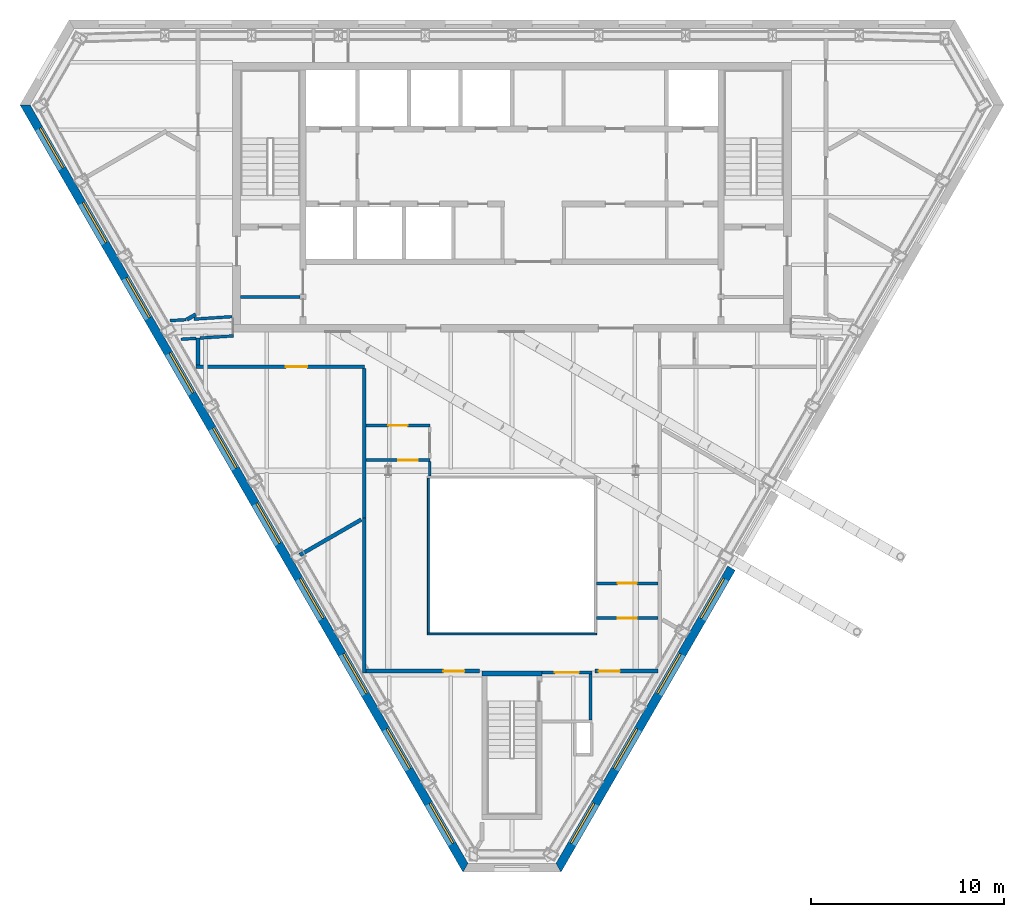
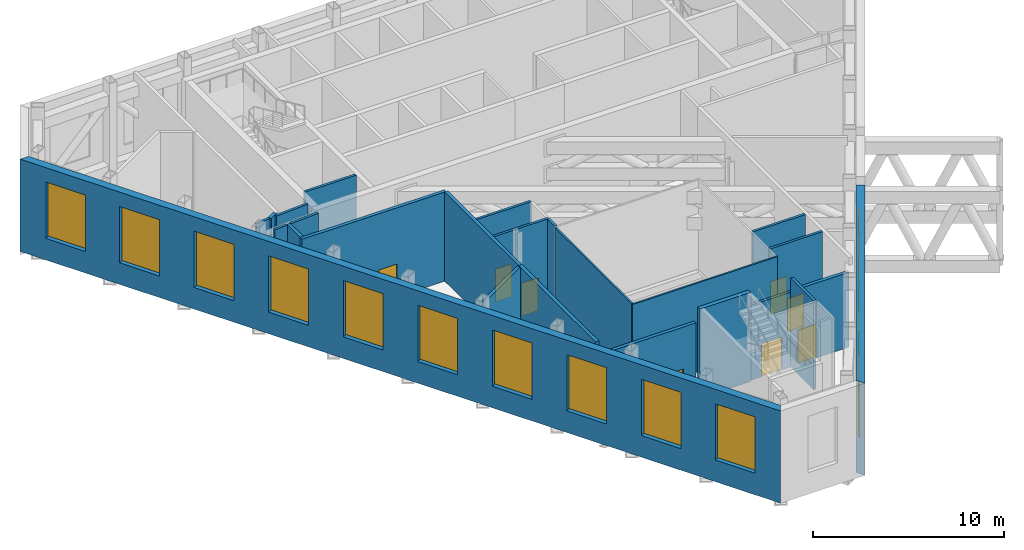
# One storey, part 7 of 14: 25 walls, 14 shading devices, 8 doors, 22 openings.
"""IFC4 building model written with IfcOpenShell, lengths in metres."""

from ifc_helpers import new_model, si_unit, direction, frame, frame_2d, origin, place, context, subcontext, project, spatial, polyline, rectangle, outline, extrude, material, layer, layer_set, type_object, element, fill, save


model = new_model("IFC4")

# Units and contexts
model_context = context("Model", 3, precision=1e-05, world=origin(), true_north=direction((0.0, 1.0)))
body_context = subcontext(model_context, "Body", "Model", "MODEL_VIEW")
ifc_project = project(units=[si_unit("LENGTHUNIT", "METRE"), si_unit("AREAUNIT", "SQUARE_METRE"), si_unit("VOLUMEUNIT", "CUBIC_METRE"), si_unit("PLANEANGLEUNIT", "RADIAN"), si_unit("MASSUNIT", "GRAM", prefix="KILO")], contexts=[model_context])

# Site, building, storey
site_placement = place(None, origin())
site = spatial("IfcSite", under=ifc_project, at=site_placement, CompositionType="ELEMENT")
building_placement = place(site_placement, origin())
building = spatial("IfcBuilding", under=site, at=building_placement, Name="Njiva Tower", CompositionType="ELEMENT")
storey_placement = place(building_placement, frame((0.0, 0.0, 292.2)))
storey = spatial("IfcBuildingStorey", under=building, at=storey_placement, Name="L67", CompositionType="ELEMENT", Elevation=292.2)

# Walls
ifc_material_1 = material(Name="Blockwork", Category="masonry")
ifc_layer_1 = layer(ifc_material_1, 0.15)
ifc_layer_set_1 = layer_set([ifc_layer_1], Name="Blockwork")
wall_type_1 = type_object("IfcWallType", Name="WT1 Compartment partition 150", PredefinedType="PARTITIONING", material=ifc_layer_set_1)
wall_1_placement = place(storey_placement, frame((-14.1, 5.825, 0.0), z_axis=(0.0, 0.0, 1.0), x_axis=(1.0, 0.0, 0.0)))
element("IfcWall", 1, at=wall_1_placement, inside=storey, type_object=wall_type_1, Name="Room wall A", PredefinedType="PARTITIONING", context=body_context, shape_type="SweptSolid", body=[
    extrude(rectangle(XDim=3.1, YDim=0.15, at=frame_2d((1.55, 0.0))), origin(), (0.0, 0.0, 1.0), 5.7),
])
ifc_material_2 = material(Name="Gypsum board on steel studs", Category="gypsum")
ifc_layer_2 = layer(ifc_material_2, 0.15)
ifc_layer_set_2 = layer_set([ifc_layer_2], Name="Gypsum board on steel studs")
wall_type_2 = type_object("IfcWallType", Name="WT21 Compartment wall 150", PredefinedType="PARTITIONING", material=ifc_layer_set_2)
wall_2_placement = place(storey_placement, frame((-17.746, 4.592, 0.0), z_axis=(0.0, 0.0, 1.0), x_axis=(0.997972330248, 0.063649258127, 0.0)))
element("IfcWall", 2, at=wall_2_placement, inside=storey, type_object=wall_type_2, Name="Partition T5-P003", PredefinedType="PARTITIONING", context=body_context, shape_type="SweptSolid", body=[
    extrude(rectangle(XDim=0.8327, YDim=0.15, at=frame_2d((0.4164, 0.0))), origin(), (0.0, 0.0, 1.0), 5.7),
])
wall_3_placement = place(storey_placement, frame((-17.188, 3.625, 0.0), z_axis=(0.0, 0.0, 1.0), x_axis=(0.997885500156, 0.064996373573, 0.0)))
element("IfcWall", 3, at=wall_3_placement, inside=storey, type_object=wall_type_2, Name="Partition T5-P004", PredefinedType="PARTITIONING", context=body_context, shape_type="SweptSolid", body=[
    extrude(rectangle(XDim=0.7847, YDim=0.15, at=frame_2d((0.3923, 0.0))), origin(), (0.0, 0.0, 1.0), 5.7),
])
wall_4_placement = place(storey_placement, frame((-16.504, 4.672, 0.0), z_axis=(0.0, 0.0, 1.0), x_axis=(0.997932644153, 0.064268481647, 0.0)))
element("IfcWall", 4, at=wall_4_placement, inside=storey, type_object=wall_type_2, Name="Partition T5-P006", PredefinedType="PARTITIONING", context=body_context, shape_type="SweptSolid", body=[
    extrude(rectangle(XDim=1.9761, YDim=0.15, at=frame_2d((0.988, 0.0))), origin(), (0.0, 0.0, 1.0), 5.7),
])
wall_5_placement = place(storey_placement, frame((-16.2, 3.689, 0.0), z_axis=(0.0, 0.0, 1.0), x_axis=(0.997915745008, 0.064530348407, 0.0)))
element("IfcWall", 5, at=wall_5_placement, inside=storey, type_object=wall_type_2, Name="Partition T5-P011", PredefinedType="PARTITIONING", context=body_context, shape_type="SweptSolid", body=[
    extrude(rectangle(XDim=1.7356, YDim=0.15, at=frame_2d((0.8678, 0.0))), origin(), (0.0, 0.0, 1.0), 5.7),
])

# Wall, opening, door
wall_6_placement = place(storey_placement, frame((-7.571, -2.65, 0.0), z_axis=(0.0, 0.0, 1.0), x_axis=(1.0, 0.0, 0.0)))
wall_6 = element("IfcWall", 6, at=wall_6_placement, inside=storey, type_object=wall_type_2, Name="Partition T5-P017", PredefinedType="PARTITIONING", context=body_context, shape_type="SweptSolid", body=[
    extrude(rectangle(XDim=3.301, YDim=0.15, at=frame_2d((1.6505, 0.0))), origin(), (0.0, 0.0, 1.0), 5.7),
])
opening_1_placement = place(wall_6_placement, frame((1.675, 0.0, 0.0)))
opening_1 = element("IfcOpeningElement", 7, at=opening_1_placement, cuts=wall_6, Name="Opening T5-D006", PredefinedType="OPENING", context=body_context, shape_type="SweptSolid", body=[
    extrude(rectangle(XDim=1.0, YDim=2.1, at=frame_2d((0.5, 1.05))), frame((0.0, 0.085, 0.0), z_axis=(0.0, -1.0, 0.0), x_axis=(1.0, 0.0, 0.0)), (0.0, 0.0, 1.0), 0.17),
])
ifc_material_3 = material(Name="Steel fire door set", Category="steel")
door_type_1 = type_object("IfcDoorType", Name="D37 Fire door 1000x2100", OperationType="SINGLE_SWING_LEFT", PredefinedType="DOOR", material=ifc_material_3)
door_1_placement = place(opening_1_placement, origin())
door_1 = element("IfcDoor", 8, at=door_1_placement, inside=storey, type_object=door_type_1, Name="Door T5-D006", OperationType="SINGLE_SWING_LEFT", OverallHeight=2.1, OverallWidth=1.0, PredefinedType="DOOR", context=body_context, shape_type="SweptSolid", body=[
    extrude(rectangle(XDim=1.0, YDim=2.1, at=frame_2d((0.5, 1.05))), frame((0.0, 0.025, 0.0), z_axis=(0.0, -1.0, 0.0), x_axis=(1.0, 0.0, 0.0)), (0.0, 0.0, 1.0), 0.05),
])
fill(opening_1, door_1)

wall_7_placement = place(storey_placement, frame((-7.57, -0.85, 0.0), z_axis=(0.0, 0.0, 1.0), x_axis=(1.0, 0.0, 0.0)))
wall_7 = element("IfcWall", 9, at=wall_7_placement, inside=storey, type_object=wall_type_2, Name="Partition T5-P018", PredefinedType="PARTITIONING", context=body_context, shape_type="SweptSolid", body=[
    extrude(rectangle(XDim=3.3, YDim=0.15, at=frame_2d((1.65, 0.0))), origin(), (0.0, 0.0, 1.0), 5.7),
])
opening_2_placement = place(wall_7_placement, frame((1.15, 0.0, 0.0)))
opening_2 = element("IfcOpeningElement", 10, at=opening_2_placement, cuts=wall_7, Name="Opening T5-D007", PredefinedType="OPENING", context=body_context, shape_type="SweptSolid", body=[
    extrude(rectangle(XDim=1.0, YDim=2.1, at=frame_2d((0.5, 1.05))), frame((0.0, 0.085, 0.0), z_axis=(0.0, -1.0, 0.0), x_axis=(1.0, 0.0, 0.0)), (0.0, 0.0, 1.0), 0.17),
])
door_2_placement = place(opening_2_placement, origin())
door_2 = element("IfcDoor", 11, at=door_2_placement, inside=storey, type_object=door_type_1, Name="Door T5-D007", OperationType="SINGLE_SWING_RIGHT", OverallHeight=2.1, OverallWidth=1.0, PredefinedType="DOOR", context=body_context, shape_type="SweptSolid", body=[
    extrude(rectangle(XDim=1.0, YDim=2.1, at=frame_2d((0.5, 1.05))), frame((0.0, 0.025, 0.0), z_axis=(0.0, -1.0, 0.0), x_axis=(1.0, 0.0, 0.0)), (0.0, 0.0, 1.0), 0.05),
])
fill(opening_2, door_2)

# Wall
wall_8_placement = place(storey_placement, frame((-4.27, -3.48, 0.0), z_axis=(0.0, 0.0, 1.0), x_axis=(0.0, 1.0, 0.0)))
element("IfcWall", 12, at=wall_8_placement, inside=storey, type_object=wall_type_2, Name="Partition T5-P020", PredefinedType="PARTITIONING", context=body_context, shape_type="SweptSolid", body=[
    extrude(rectangle(XDim=0.755, YDim=0.15, at=frame_2d((0.3775, 0.0))), origin(), (0.0, 0.0, 1.0), 5.7),
])

# Wall, opening, door
wall_9_placement = place(storey_placement, frame((4.39, -10.85, 0.0), z_axis=(0.0, 0.0, 1.0), x_axis=(1.0, 0.0, 0.0)))
wall_9 = element("IfcWall", 13, at=wall_9_placement, inside=storey, type_object=wall_type_2, Name="Partition T5-P025", PredefinedType="PARTITIONING", context=body_context, shape_type="SweptSolid", body=[
    extrude(rectangle(XDim=3.18, YDim=0.15, at=frame_2d((1.59, 0.0))), origin(), (0.0, 0.0, 1.0), 5.7),
])
opening_3_placement = place(wall_9_placement, frame((1.09, 0.0, 0.0)))
opening_3 = element("IfcOpeningElement", 14, at=opening_3_placement, cuts=wall_9, Name="Opening T5-D011", PredefinedType="OPENING", context=body_context, shape_type="SweptSolid", body=[
    extrude(rectangle(XDim=1.0, YDim=2.1, at=frame_2d((0.5, 1.05))), frame((0.0, 0.085, 0.0), z_axis=(0.0, -1.0, 0.0), x_axis=(1.0, 0.0, 0.0)), (0.0, 0.0, 1.0), 0.17),
])
door_3_placement = place(opening_3_placement, origin())
door_3 = element("IfcDoor", 15, at=door_3_placement, inside=storey, type_object=door_type_1, Name="Door T5-D011", OperationType="SINGLE_SWING_RIGHT", OverallHeight=2.1, OverallWidth=1.0, PredefinedType="DOOR", context=body_context, shape_type="SweptSolid", body=[
    extrude(rectangle(XDim=1.0, YDim=2.1, at=frame_2d((0.5, 1.05))), frame((0.0, 0.025, 0.0), z_axis=(0.0, -1.0, 0.0), x_axis=(1.0, 0.0, 0.0)), (0.0, 0.0, 1.0), 0.05),
])
fill(opening_3, door_3)

wall_10_placement = place(storey_placement, frame((4.39, -9.05, 0.0), z_axis=(0.0, 0.0, 1.0), x_axis=(1.0, 0.0, 0.0)))
wall_10 = element("IfcWall", 16, at=wall_10_placement, inside=storey, type_object=wall_type_2, Name="Partition T5-P026", PredefinedType="PARTITIONING", context=body_context, shape_type="SweptSolid", body=[
    extrude(rectangle(XDim=3.18, YDim=0.15, at=frame_2d((1.59, 0.0))), origin(), (0.0, 0.0, 1.0), 5.7),
])
opening_4_placement = place(wall_10_placement, frame((1.09, 0.0, 0.0)))
opening_4 = element("IfcOpeningElement", 17, at=opening_4_placement, cuts=wall_10, Name="Opening T5-D012", PredefinedType="OPENING", context=body_context, shape_type="SweptSolid", body=[
    extrude(rectangle(XDim=1.0, YDim=2.1, at=frame_2d((0.5, 1.05))), frame((0.0, 0.085, 0.0), z_axis=(0.0, -1.0, 0.0), x_axis=(1.0, 0.0, 0.0)), (0.0, 0.0, 1.0), 0.17),
])
door_4_placement = place(opening_4_placement, origin())
door_4 = element("IfcDoor", 18, at=door_4_placement, inside=storey, type_object=door_type_1, Name="Door T5-D012", OperationType="SINGLE_SWING_RIGHT", OverallHeight=2.1, OverallWidth=1.0, PredefinedType="DOOR", context=body_context, shape_type="SweptSolid", body=[
    extrude(rectangle(XDim=1.0, YDim=2.1, at=frame_2d((0.5, 1.05))), frame((0.0, 0.025, 0.0), z_axis=(0.0, -1.0, 0.0), x_axis=(1.0, 0.0, 0.0)), (0.0, 0.0, 1.0), 0.05),
])
fill(opening_4, door_4)

ifc_layer_3 = layer(ifc_material_1, 0.2)
ifc_layer_set_3 = layer_set([ifc_layer_3], Name="Blockwork")
wall_type_3 = type_object("IfcWallType", Name="WT22 Plant room wall 200", PredefinedType="PARTITIONING", material=ifc_layer_set_3)
wall_11_placement = place(storey_placement, frame((-16.4, 2.2, 0.0), z_axis=(0.0, 0.0, 1.0), x_axis=(1.0, 0.0, 0.0)))
wall_11 = element("IfcWall", 19, at=wall_11_placement, inside=storey, type_object=wall_type_3, Name="Partition T5-P007", PredefinedType="PARTITIONING", context=body_context, shape_type="SweptSolid", body=[
    extrude(rectangle(XDim=8.73, YDim=0.2, at=frame_2d((4.365, 0.0))), origin(), (0.0, 0.0, 1.0), 5.7),
])
opening_5_placement = place(wall_11_placement, frame((4.657, 0.0, 0.0)))
opening_5 = element("IfcOpeningElement", 20, at=opening_5_placement, cuts=wall_11, Name="Opening T5-D001", PredefinedType="OPENING", context=body_context, shape_type="SweptSolid", body=[
    extrude(rectangle(XDim=1.1, YDim=2.1, at=frame_2d((0.55, 1.05))), frame((0.0, 0.11, 0.0), z_axis=(0.0, -1.0, 0.0), x_axis=(1.0, 0.0, 0.0)), (0.0, 0.0, 1.0), 0.22),
])
ifc_material_4 = material(Name="Steel door set", Category="steel")
door_type_2 = type_object("IfcDoorType", Name="D34 Plant door 1100x2100", OperationType="SINGLE_SWING_LEFT", PredefinedType="DOOR", material=ifc_material_4)
door_5_placement = place(opening_5_placement, origin())
door_5 = element("IfcDoor", 21, at=door_5_placement, inside=storey, type_object=door_type_2, Name="Door T5-D001", OperationType="SINGLE_SWING_RIGHT", OverallHeight=2.1, OverallWidth=1.1, PredefinedType="DOOR", context=body_context, shape_type="SweptSolid", body=[
    extrude(rectangle(XDim=1.1, YDim=2.1, at=frame_2d((0.55, 1.05))), frame((0.0, 0.025, 0.0), z_axis=(0.0, -1.0, 0.0), x_axis=(1.0, 0.0, 0.0)), (0.0, 0.0, 1.0), 0.05),
])
fill(opening_5, door_5)

# Walls
wall_12_placement = place(storey_placement, frame((-16.3, 2.3, 0.0), z_axis=(0.0, 0.0, 1.0), x_axis=(0.0, 1.0, 0.0)))
element("IfcWall", 22, at=wall_12_placement, inside=storey, type_object=wall_type_3, Name="Partition T5-P009", PredefinedType="PARTITIONING", context=body_context, shape_type="SweptSolid", body=[
    extrude(rectangle(XDim=1.383, YDim=0.2, at=frame_2d((0.6915, 0.0))), origin(), (0.0, 0.0, 1.0), 5.7),
])
wall_13_placement = place(storey_placement, frame((-11.01, -7.574, 0.0), z_axis=(0.0, 0.0, 1.0), x_axis=(0.865995704065, 0.500051437896, 0.0)))
element("IfcWall", 23, at=wall_13_placement, inside=storey, type_object=wall_type_3, Name="Partition T5-P012", PredefinedType="PARTITIONING", context=body_context, shape_type="SweptSolid", body=[
    extrude(rectangle(XDim=3.6836, YDim=0.2, at=frame_2d((1.8418, 0.0))), origin(), (0.0, 0.0, 1.0), 5.7),
])
wall_14_placement = place(storey_placement, frame((-7.671, -5.65, 0.0), z_axis=(0.0, 0.0, 1.0), x_axis=(0.000129032257, 0.999999991675, 0.0)))
element("IfcWall", 24, at=wall_14_placement, inside=storey, type_object=wall_type_3, Name="Partition T5-P015", PredefinedType="PARTITIONING", context=body_context, shape_type="SweptSolid", body=[
    extrude(rectangle(XDim=7.75, YDim=0.2, at=frame_2d((3.875, 0.0))), origin(), (0.0, 0.0, 1.0), 5.7),
])
wall_15_placement = place(storey_placement, frame((-7.67, -13.7, 0.0), z_axis=(0.0, 0.0, 1.0), x_axis=(0.0, 1.0, 0.0)))
element("IfcWall", 25, at=wall_15_placement, inside=storey, type_object=wall_type_3, Name="Partition T5-P016", PredefinedType="PARTITIONING", context=body_context, shape_type="SweptSolid", body=[
    extrude(rectangle(XDim=8.05, YDim=0.2, at=frame_2d((4.025, 0.0))), origin(), (0.0, 0.0, 1.0), 5.7),
])

# Wall, opening, door
wall_16_placement = place(storey_placement, frame((-7.57, -13.6, 0.0), z_axis=(0.0, 0.0, 1.0), x_axis=(1.0, 0.0, 0.0)))
wall_16 = element("IfcWall", 26, at=wall_16_placement, inside=storey, type_object=wall_type_3, Name="Partition T5-P019", PredefinedType="PARTITIONING", context=body_context, shape_type="SweptSolid", body=[
    extrude(rectangle(XDim=5.87, YDim=0.2, at=frame_2d((2.935, 0.0))), origin(), (0.0, 0.0, 1.0), 4.79),
])
opening_6_placement = place(wall_16_placement, frame((4.003, 0.0, 0.0)))
opening_6 = element("IfcOpeningElement", 27, at=opening_6_placement, cuts=wall_16, Name="Opening T5-D008", PredefinedType="OPENING", context=body_context, shape_type="SweptSolid", body=[
    extrude(rectangle(XDim=1.1, YDim=2.1, at=frame_2d((0.55, 1.05))), frame((0.0, 0.11, 0.0), z_axis=(0.0, -1.0, 0.0), x_axis=(1.0, 0.0, 0.0)), (0.0, 0.0, 1.0), 0.22),
])
door_6_placement = place(opening_6_placement, origin())
door_6 = element("IfcDoor", 28, at=door_6_placement, inside=storey, type_object=door_type_2, Name="Door T5-D008", OperationType="SINGLE_SWING_RIGHT", OverallHeight=2.1, OverallWidth=1.1, PredefinedType="DOOR", context=body_context, shape_type="SweptSolid", body=[
    extrude(rectangle(XDim=1.1, YDim=2.1, at=frame_2d((0.55, 1.05))), frame((0.0, 0.025, 0.0), z_axis=(0.0, -1.0, 0.0), x_axis=(1.0, 0.0, 0.0)), (0.0, 0.0, 1.0), 0.05),
])
fill(opening_6, door_6)

wall_17_placement = place(storey_placement, frame((4.3, -13.6, 0.0), z_axis=(0.0, 0.0, 1.0), x_axis=(1.0, 0.0, 0.0)))
wall_17 = element("IfcWall", 29, at=wall_17_placement, inside=storey, type_object=wall_type_3, Name="Partition T5-P024", PredefinedType="PARTITIONING", context=body_context, shape_type="SweptSolid", body=[
    extrude(rectangle(XDim=3.27, YDim=0.2, at=frame_2d((1.635, 0.0))), origin(), (0.0, 0.0, 1.0), 4.79),
])
opening_7_placement = place(wall_17_placement, frame((0.2, 0.0, 0.0)))
opening_7 = element("IfcOpeningElement", 30, at=opening_7_placement, cuts=wall_17, Name="Opening T5-D010", PredefinedType="OPENING", context=body_context, shape_type="SweptSolid", body=[
    extrude(rectangle(XDim=1.1, YDim=2.1, at=frame_2d((0.55, 1.05))), frame((0.0, 0.11, 0.0), z_axis=(0.0, -1.0, 0.0), x_axis=(1.0, 0.0, 0.0)), (0.0, 0.0, 1.0), 0.22),
])
door_7_placement = place(opening_7_placement, origin())
door_7 = element("IfcDoor", 31, at=door_7_placement, inside=storey, type_object=door_type_2, Name="Door T5-D010", OperationType="SINGLE_SWING_LEFT", OverallHeight=2.1, OverallWidth=1.1, PredefinedType="DOOR", context=body_context, shape_type="SweptSolid", body=[
    extrude(rectangle(XDim=1.1, YDim=2.1, at=frame_2d((0.55, 1.05))), frame((0.0, 0.025, 0.0), z_axis=(0.0, -1.0, 0.0), x_axis=(1.0, 0.0, 0.0)), (0.0, 0.0, 1.0), 0.05),
])
fill(opening_7, door_7)

# Walls
ifc_layer_4 = layer(ifc_material_1, 0.2)
ifc_layer_set_4 = layer_set([ifc_layer_4], Name="Blockwork")
wall_type_4 = type_object("IfcWallType", Name="WT23 Refuge wall 200", PredefinedType="PARTITIONING", material=ifc_layer_set_4)
wall_18_placement = place(storey_placement, frame((-16.878, 4.648, 0.0), z_axis=(0.0, 0.0, 1.0), x_axis=(0.865683861507, 0.500591102524, 0.0)))
element("IfcWall", 32, at=wall_18_placement, inside=storey, type_object=wall_type_4, Name="Partition T5-P005", PredefinedType="PARTITIONING", context=body_context, shape_type="SweptSolid", body=[
    extrude(rectangle(XDim=0.5314, YDim=0.2, at=frame_2d((0.2657, 0.0))), origin(), (0.0, 0.0, 1.0), 5.7),
])
ifc_layer_5 = layer(ifc_material_1, 0.15)
ifc_layer_set_5 = layer_set([ifc_layer_5], Name="Blockwork")
wall_type_5 = type_object("IfcWallType", Name="WT4 Stair partition 150", PredefinedType="PARTITIONING", material=ifc_layer_set_5)
wall_19_placement = place(storey_placement, frame((4.075, -16.15, 0.0), z_axis=(0.0, 0.0, 1.0), x_axis=(0.0, 1.0, 0.0)))
element("IfcWall", 33, at=wall_19_placement, inside=storey, type_object=wall_type_5, Name="Stair C vestibule wall east", PredefinedType="PARTITIONING", context=body_context, shape_type="SweptSolid", body=[
    extrude(rectangle(XDim=2.4, YDim=0.15, at=frame_2d((1.2, 0.0))), origin(), (0.0, 0.0, 1.0), 5.7),
])

# Wall, opening, door
wall_20_placement = place(storey_placement, frame((1.55, -13.675, 0.0), z_axis=(0.0, 0.0, 1.0), x_axis=(1.0, 0.0, 0.0)))
wall_20 = element("IfcWall", 34, at=wall_20_placement, inside=storey, type_object=wall_type_5, Name="Stair C vestibule wall north", PredefinedType="PARTITIONING", context=body_context, shape_type="SweptSolid", body=[
    extrude(rectangle(XDim=2.6, YDim=0.15, at=frame_2d((1.3, 0.0))), origin(), (0.0, 0.0, 1.0), 4.79),
])
opening_8_placement = place(wall_20_placement, frame((0.675, 0.0, 0.0)))
opening_8 = element("IfcOpeningElement", 35, at=opening_8_placement, cuts=wall_20, Name="Opening T5-D928", PredefinedType="OPENING", context=body_context, shape_type="SweptSolid", body=[
    extrude(rectangle(XDim=1.25, YDim=2.1, at=frame_2d((0.625, 1.05))), frame((0.0, 0.085, 0.0), z_axis=(0.0, -1.0, 0.0), x_axis=(1.0, 0.0, 0.0)), (0.0, 0.0, 1.0), 0.17),
])
ifc_material_5 = material(Name="Glazed steel fire door", Category="steel")
door_type_3 = type_object("IfcDoorType", Name="D8 Vestibule corridor door 1250x2100 glazed", OperationType="SINGLE_SWING_LEFT", PredefinedType="DOOR", material=ifc_material_5)
door_8_placement = place(opening_8_placement, origin())
door_8 = element("IfcDoor", 36, at=door_8_placement, inside=storey, type_object=door_type_3, Name="Stair vestibule corridor door", OperationType="SINGLE_SWING_RIGHT", OverallHeight=2.1, OverallWidth=1.25, PredefinedType="DOOR", context=body_context, shape_type="SweptSolid", body=[
    extrude(rectangle(XDim=1.25, YDim=2.1, at=frame_2d((0.625, 1.05))), frame((0.0, 0.025, 0.0), z_axis=(0.0, -1.0, 0.0), x_axis=(1.0, 0.0, 0.0)), (0.0, 0.0, 1.0), 0.05),
])
fill(opening_8, door_8)

# Wall
ifc_material_6 = material(Name="Concrete C40/50", Category="concrete")
ifc_layer_6 = layer(ifc_material_6, 0.25)
ifc_layer_set_6 = layer_set([ifc_layer_6], Name="Concrete C40/50")
wall_type_6 = type_object("IfcWallType", Name="WT9 Stair enclosure wall 250", PredefinedType="SHEAR", material=ifc_layer_set_6)
wall_21_placement = place(storey_placement, frame((-1.55, -13.725, 0.0), z_axis=(0.0, 0.0, 1.0), x_axis=(1.0, 0.0, 0.0)))
element("IfcWall", 37, at=wall_21_placement, inside=storey, type_object=wall_type_6, Name="Stair C wall north", PredefinedType="SHEAR", context=body_context, shape_type="SweptSolid", body=[
    extrude(rectangle(XDim=3.1, YDim=0.25, at=frame_2d((1.55, 0.0))), origin(), (0.0, 0.0, 1.0), 5.7),
])

# Wall, openings, shading devices
ifc_material_7 = material(Name="Brick masonry, buff", Category="masonry")
ifc_layer_7 = layer(ifc_material_7, 0.45)
ifc_layer_set_7 = layer_set([ifc_layer_7], Name="Brick masonry, buff")
wall_type_7 = type_object("IfcWallType", Name="WT94 Brick pier and spandrel wall 450, buff", PredefinedType="SOLIDWALL", material=ifc_layer_set_7)
wall_22_placement = place(storey_placement, frame((-25.2802, 15.7919, -0.18), z_axis=(0.0, 0.0, 1.0), x_axis=(0.500000141277, -0.866025322218, 0.0)))
wall_22 = element("IfcWall", 38, at=wall_22_placement, inside=storey, type_object=wall_type_7, Name="Facade wall SW", PredefinedType="SOLIDWALL", context=body_context, shape_type="SweptSolid", body=[
    extrude(outline(polyline([(-0.1299, -0.225), (45.8601, -0.225), (45.6003, 0.225), (0.1299, 0.225), (-0.1299, -0.225)])), origin(), (0.0, 0.0, 1.0), 5.9),
])
opening_9_placement = place(wall_22_placement, frame((1.4237, 0.0, 1.38)))
opening_9 = element("IfcOpeningElement", 39, at=opening_9_placement, cuts=wall_22, Name="Opening T5-LV12", PredefinedType="OPENING", context=body_context, shape_type="SweptSolid", body=[
    extrude(rectangle(XDim=2.4, YDim=3.6, at=frame_2d((1.2, 1.8))), frame((0.0, 0.235, 0.0), z_axis=(0.0, -1.0, 0.0), x_axis=(1.0, 0.0, 0.0)), (0.0, 0.0, 1.0), 0.47),
])
opening_10_placement = place(wall_22_placement, frame((5.8919, 0.0, 1.38)))
opening_10 = element("IfcOpeningElement", 40, at=opening_10_placement, cuts=wall_22, Name="Opening T5-LV13", PredefinedType="OPENING", context=body_context, shape_type="SweptSolid", body=[
    extrude(rectangle(XDim=2.4, YDim=3.6, at=frame_2d((1.2, 1.8))), frame((0.0, 0.235, 0.0), z_axis=(0.0, -1.0, 0.0), x_axis=(1.0, 0.0, 0.0)), (0.0, 0.0, 1.0), 0.47),
])
opening_11_placement = place(wall_22_placement, frame((10.3985, 0.0, 1.38)))
opening_11 = element("IfcOpeningElement", 41, at=opening_11_placement, cuts=wall_22, Name="Opening T5-LV14", PredefinedType="OPENING", context=body_context, shape_type="SweptSolid", body=[
    extrude(rectangle(XDim=2.4, YDim=3.6, at=frame_2d((1.2, 1.8))), frame((0.0, 0.235, 0.0), z_axis=(0.0, -1.0, 0.0), x_axis=(1.0, 0.0, 0.0)), (0.0, 0.0, 1.0), 0.47),
])
opening_12_placement = place(wall_22_placement, frame((14.9052, 0.0, 1.38)))
opening_12 = element("IfcOpeningElement", 42, at=opening_12_placement, cuts=wall_22, Name="Opening T5-LV15", PredefinedType="OPENING", context=body_context, shape_type="SweptSolid", body=[
    extrude(rectangle(XDim=2.4, YDim=3.6, at=frame_2d((1.2, 1.8))), frame((0.0, 0.235, 0.0), z_axis=(0.0, -1.0, 0.0), x_axis=(1.0, 0.0, 0.0)), (0.0, 0.0, 1.0), 0.47),
])
opening_13_placement = place(wall_22_placement, frame((19.4118, 0.0, 1.38)))
opening_13 = element("IfcOpeningElement", 43, at=opening_13_placement, cuts=wall_22, Name="Opening T5-LV16", PredefinedType="OPENING", context=body_context, shape_type="SweptSolid", body=[
    extrude(rectangle(XDim=2.4, YDim=3.6, at=frame_2d((1.2, 1.8))), frame((0.0, 0.235, 0.0), z_axis=(0.0, -1.0, 0.0), x_axis=(1.0, 0.0, 0.0)), (0.0, 0.0, 1.0), 0.47),
])
opening_14_placement = place(wall_22_placement, frame((23.9184, 0.0, 1.38)))
opening_14 = element("IfcOpeningElement", 44, at=opening_14_placement, cuts=wall_22, Name="Opening T5-LV17", PredefinedType="OPENING", context=body_context, shape_type="SweptSolid", body=[
    extrude(rectangle(XDim=2.4, YDim=3.6, at=frame_2d((1.2, 1.8))), frame((0.0, 0.235, 0.0), z_axis=(0.0, -1.0, 0.0), x_axis=(1.0, 0.0, 0.0)), (0.0, 0.0, 1.0), 0.47),
])
opening_15_placement = place(wall_22_placement, frame((28.425, 0.0, 1.38)))
opening_15 = element("IfcOpeningElement", 45, at=opening_15_placement, cuts=wall_22, Name="Opening T5-LV18", PredefinedType="OPENING", context=body_context, shape_type="SweptSolid", body=[
    extrude(rectangle(XDim=2.4, YDim=3.6, at=frame_2d((1.2, 1.8))), frame((0.0, 0.235, 0.0), z_axis=(0.0, -1.0, 0.0), x_axis=(1.0, 0.0, 0.0)), (0.0, 0.0, 1.0), 0.47),
])
opening_16_placement = place(wall_22_placement, frame((32.9316, 0.0, 1.38)))
opening_16 = element("IfcOpeningElement", 46, at=opening_16_placement, cuts=wall_22, Name="Opening T5-LV19", PredefinedType="OPENING", context=body_context, shape_type="SweptSolid", body=[
    extrude(rectangle(XDim=2.4, YDim=3.6, at=frame_2d((1.2, 1.8))), frame((0.0, 0.235, 0.0), z_axis=(0.0, -1.0, 0.0), x_axis=(1.0, 0.0, 0.0)), (0.0, 0.0, 1.0), 0.47),
])
opening_17_placement = place(wall_22_placement, frame((37.4383, 0.0, 1.38)))
opening_17 = element("IfcOpeningElement", 47, at=opening_17_placement, cuts=wall_22, Name="Opening T5-LV20", PredefinedType="OPENING", context=body_context, shape_type="SweptSolid", body=[
    extrude(rectangle(XDim=2.4, YDim=3.6, at=frame_2d((1.2, 1.8))), frame((0.0, 0.235, 0.0), z_axis=(0.0, -1.0, 0.0), x_axis=(1.0, 0.0, 0.0)), (0.0, 0.0, 1.0), 0.47),
])
opening_18_placement = place(wall_22_placement, frame((41.9065, 0.0, 1.38)))
opening_18 = element("IfcOpeningElement", 48, at=opening_18_placement, cuts=wall_22, Name="Opening T5-LV21", PredefinedType="OPENING", context=body_context, shape_type="SweptSolid", body=[
    extrude(rectangle(XDim=2.4, YDim=3.6, at=frame_2d((1.2, 1.8))), frame((0.0, 0.235, 0.0), z_axis=(0.0, -1.0, 0.0), x_axis=(1.0, 0.0, 0.0)), (0.0, 0.0, 1.0), 0.47),
])
ifc_material_8 = material(Name="Aluminium louvre blades", Category="aluminium")
shading_device_type = type_object("IfcShadingDeviceType", Name="LV1 Plant louvre 2400x3600", PredefinedType="JALOUSIE", material=ifc_material_8)
shading_device_1_placement = place(opening_9_placement, origin())
shading_device_1 = element("IfcShadingDevice", 49, at=shading_device_1_placement, inside=storey, type_object=shading_device_type, Name="Plant louvre", PredefinedType="JALOUSIE", context=body_context, shape_type="SweptSolid", body=[
    extrude(rectangle(XDim=2.4, YDim=3.6, at=frame_2d((1.2, 1.8))), frame((0.0, 0.125, 0.0), z_axis=(0.0, -1.0, 0.0), x_axis=(1.0, 0.0, 0.0)), (0.0, 0.0, 1.0), 0.1),
])
fill(opening_9, shading_device_1)
shading_device_2_placement = place(opening_10_placement, origin())
shading_device_2 = element("IfcShadingDevice", 50, at=shading_device_2_placement, inside=storey, type_object=shading_device_type, Name="Plant louvre", PredefinedType="JALOUSIE", context=body_context, shape_type="SweptSolid", body=[
    extrude(rectangle(XDim=2.4, YDim=3.6, at=frame_2d((1.2, 1.8))), frame((0.0, 0.125, 0.0), z_axis=(0.0, -1.0, 0.0), x_axis=(1.0, 0.0, 0.0)), (0.0, 0.0, 1.0), 0.1),
])
fill(opening_10, shading_device_2)
shading_device_3_placement = place(opening_11_placement, origin())
shading_device_3 = element("IfcShadingDevice", 51, at=shading_device_3_placement, inside=storey, type_object=shading_device_type, Name="Plant louvre", PredefinedType="JALOUSIE", context=body_context, shape_type="SweptSolid", body=[
    extrude(rectangle(XDim=2.4, YDim=3.6, at=frame_2d((1.2, 1.8))), frame((0.0, 0.125, 0.0), z_axis=(0.0, -1.0, 0.0), x_axis=(1.0, 0.0, 0.0)), (0.0, 0.0, 1.0), 0.1),
])
fill(opening_11, shading_device_3)
shading_device_4_placement = place(opening_12_placement, origin())
shading_device_4 = element("IfcShadingDevice", 52, at=shading_device_4_placement, inside=storey, type_object=shading_device_type, Name="Plant louvre", PredefinedType="JALOUSIE", context=body_context, shape_type="SweptSolid", body=[
    extrude(rectangle(XDim=2.4, YDim=3.6, at=frame_2d((1.2, 1.8))), frame((0.0, 0.125, 0.0), z_axis=(0.0, -1.0, 0.0), x_axis=(1.0, 0.0, 0.0)), (0.0, 0.0, 1.0), 0.1),
])
fill(opening_12, shading_device_4)
shading_device_5_placement = place(opening_13_placement, origin())
shading_device_5 = element("IfcShadingDevice", 53, at=shading_device_5_placement, inside=storey, type_object=shading_device_type, Name="Plant louvre", PredefinedType="JALOUSIE", context=body_context, shape_type="SweptSolid", body=[
    extrude(rectangle(XDim=2.4, YDim=3.6, at=frame_2d((1.2, 1.8))), frame((0.0, 0.125, 0.0), z_axis=(0.0, -1.0, 0.0), x_axis=(1.0, 0.0, 0.0)), (0.0, 0.0, 1.0), 0.1),
])
fill(opening_13, shading_device_5)
shading_device_6_placement = place(opening_14_placement, origin())
shading_device_6 = element("IfcShadingDevice", 54, at=shading_device_6_placement, inside=storey, type_object=shading_device_type, Name="Plant louvre", PredefinedType="JALOUSIE", context=body_context, shape_type="SweptSolid", body=[
    extrude(rectangle(XDim=2.4, YDim=3.6, at=frame_2d((1.2, 1.8))), frame((0.0, 0.125, 0.0), z_axis=(0.0, -1.0, 0.0), x_axis=(1.0, 0.0, 0.0)), (0.0, 0.0, 1.0), 0.1),
])
fill(opening_14, shading_device_6)
shading_device_7_placement = place(opening_15_placement, origin())
shading_device_7 = element("IfcShadingDevice", 55, at=shading_device_7_placement, inside=storey, type_object=shading_device_type, Name="Plant louvre", PredefinedType="JALOUSIE", context=body_context, shape_type="SweptSolid", body=[
    extrude(rectangle(XDim=2.4, YDim=3.6, at=frame_2d((1.2, 1.8))), frame((0.0, 0.125, 0.0), z_axis=(0.0, -1.0, 0.0), x_axis=(1.0, 0.0, 0.0)), (0.0, 0.0, 1.0), 0.1),
])
fill(opening_15, shading_device_7)
shading_device_8_placement = place(opening_16_placement, origin())
shading_device_8 = element("IfcShadingDevice", 56, at=shading_device_8_placement, inside=storey, type_object=shading_device_type, Name="Plant louvre", PredefinedType="JALOUSIE", context=body_context, shape_type="SweptSolid", body=[
    extrude(rectangle(XDim=2.4, YDim=3.6, at=frame_2d((1.2, 1.8))), frame((0.0, 0.125, 0.0), z_axis=(0.0, -1.0, 0.0), x_axis=(1.0, 0.0, 0.0)), (0.0, 0.0, 1.0), 0.1),
])
fill(opening_16, shading_device_8)
shading_device_9_placement = place(opening_17_placement, origin())
shading_device_9 = element("IfcShadingDevice", 57, at=shading_device_9_placement, inside=storey, type_object=shading_device_type, Name="Plant louvre", PredefinedType="JALOUSIE", context=body_context, shape_type="SweptSolid", body=[
    extrude(rectangle(XDim=2.4, YDim=3.6, at=frame_2d((1.2, 1.8))), frame((0.0, 0.125, 0.0), z_axis=(0.0, -1.0, 0.0), x_axis=(1.0, 0.0, 0.0)), (0.0, 0.0, 1.0), 0.1),
])
fill(opening_17, shading_device_9)
shading_device_10_placement = place(opening_18_placement, origin())
shading_device_10 = element("IfcShadingDevice", 58, at=shading_device_10_placement, inside=storey, type_object=shading_device_type, Name="Plant louvre", PredefinedType="JALOUSIE", context=body_context, shape_type="SweptSolid", body=[
    extrude(rectangle(XDim=2.4, YDim=3.6, at=frame_2d((1.2, 1.8))), frame((0.0, 0.125, 0.0), z_axis=(0.0, -1.0, 0.0), x_axis=(1.0, 0.0, 0.0)), (0.0, 0.0, 1.0), 0.1),
])
fill(opening_18, shading_device_10)

wall_23_placement = place(storey_placement, frame((2.4151, -23.8116, -0.18), z_axis=(0.0, 0.0, 1.0), x_axis=(0.499998326906, 0.866026369744, 0.0)))
wall_23 = element("IfcWall", 59, at=wall_23_placement, inside=storey, type_object=wall_type_7, Name="Facade wall SE", PredefinedType="SOLIDWALL", context=body_context, shape_type="SweptSolid", body=[
    extrude(outline(polyline([(-0.1299, -0.225), (17.9585, -0.225), (17.9585, 0.225), (0.1299, 0.225), (-0.1299, -0.225)])), origin(), (0.0, 0.0, 1.0), 5.9),
])
opening_19_placement = place(wall_23_placement, frame((1.4237, 0.0, 1.38)))
opening_19 = element("IfcOpeningElement", 60, at=opening_19_placement, cuts=wall_23, Name="Opening T5-LV23", PredefinedType="OPENING", context=body_context, shape_type="SweptSolid", body=[
    extrude(rectangle(XDim=2.4, YDim=3.6, at=frame_2d((1.2, 1.8))), frame((0.0, 0.235, 0.0), z_axis=(0.0, -1.0, 0.0), x_axis=(1.0, 0.0, 0.0)), (0.0, 0.0, 1.0), 0.47),
])
opening_20_placement = place(wall_23_placement, frame((5.8919, 0.0, 1.38)))
opening_20 = element("IfcOpeningElement", 61, at=opening_20_placement, cuts=wall_23, Name="Opening T5-LV24", PredefinedType="OPENING", context=body_context, shape_type="SweptSolid", body=[
    extrude(rectangle(XDim=2.4, YDim=3.6, at=frame_2d((1.2, 1.8))), frame((0.0, 0.235, 0.0), z_axis=(0.0, -1.0, 0.0), x_axis=(1.0, 0.0, 0.0)), (0.0, 0.0, 1.0), 0.47),
])
opening_21_placement = place(wall_23_placement, frame((10.3985, 0.0, 1.38)))
opening_21 = element("IfcOpeningElement", 62, at=opening_21_placement, cuts=wall_23, Name="Opening T5-LV25", PredefinedType="OPENING", context=body_context, shape_type="SweptSolid", body=[
    extrude(rectangle(XDim=2.4, YDim=3.6, at=frame_2d((1.2, 1.8))), frame((0.0, 0.235, 0.0), z_axis=(0.0, -1.0, 0.0), x_axis=(1.0, 0.0, 0.0)), (0.0, 0.0, 1.0), 0.47),
])
opening_22_placement = place(wall_23_placement, frame((14.9052, 0.0, 1.38)))
opening_22 = element("IfcOpeningElement", 63, at=opening_22_placement, cuts=wall_23, Name="Opening T5-LV26", PredefinedType="OPENING", context=body_context, shape_type="SweptSolid", body=[
    extrude(rectangle(XDim=2.4, YDim=3.6, at=frame_2d((1.2, 1.8))), frame((0.0, 0.235, 0.0), z_axis=(0.0, -1.0, 0.0), x_axis=(1.0, 0.0, 0.0)), (0.0, 0.0, 1.0), 0.47),
])
shading_device_11_placement = place(opening_19_placement, origin())
shading_device_11 = element("IfcShadingDevice", 64, at=shading_device_11_placement, inside=storey, type_object=shading_device_type, Name="Plant louvre", PredefinedType="JALOUSIE", context=body_context, shape_type="SweptSolid", body=[
    extrude(rectangle(XDim=2.4, YDim=3.6, at=frame_2d((1.2, 1.8))), frame((0.0, 0.125, 0.0), z_axis=(0.0, -1.0, 0.0), x_axis=(1.0, 0.0, 0.0)), (0.0, 0.0, 1.0), 0.1),
])
fill(opening_19, shading_device_11)
shading_device_12_placement = place(opening_20_placement, origin())
shading_device_12 = element("IfcShadingDevice", 65, at=shading_device_12_placement, inside=storey, type_object=shading_device_type, Name="Plant louvre", PredefinedType="JALOUSIE", context=body_context, shape_type="SweptSolid", body=[
    extrude(rectangle(XDim=2.4, YDim=3.6, at=frame_2d((1.2, 1.8))), frame((0.0, 0.125, 0.0), z_axis=(0.0, -1.0, 0.0), x_axis=(1.0, 0.0, 0.0)), (0.0, 0.0, 1.0), 0.1),
])
fill(opening_20, shading_device_12)
shading_device_13_placement = place(opening_21_placement, origin())
shading_device_13 = element("IfcShadingDevice", 66, at=shading_device_13_placement, inside=storey, type_object=shading_device_type, Name="Plant louvre", PredefinedType="JALOUSIE", context=body_context, shape_type="SweptSolid", body=[
    extrude(rectangle(XDim=2.4, YDim=3.6, at=frame_2d((1.2, 1.8))), frame((0.0, 0.125, 0.0), z_axis=(0.0, -1.0, 0.0), x_axis=(1.0, 0.0, 0.0)), (0.0, 0.0, 1.0), 0.1),
])
fill(opening_21, shading_device_13)
shading_device_14_placement = place(opening_22_placement, origin())
shading_device_14 = element("IfcShadingDevice", 67, at=shading_device_14_placement, inside=storey, type_object=shading_device_type, Name="Plant louvre", PredefinedType="JALOUSIE", context=body_context, shape_type="SweptSolid", body=[
    extrude(rectangle(XDim=2.4, YDim=3.6, at=frame_2d((1.2, 1.8))), frame((0.0, 0.125, 0.0), z_axis=(0.0, -1.0, 0.0), x_axis=(1.0, 0.0, 0.0)), (0.0, 0.0, 1.0), 0.1),
])
fill(opening_22, shading_device_14)

# Walls
ifc_material_9 = material(Name="Fire-resisting glazing EI 90", Category="glass")
ifc_layer_8 = layer(ifc_material_9, 0.1)
ifc_layer_set_8 = layer_set([ifc_layer_8], Name="Fire-resisting glazing EI 90")
wall_type_8 = type_object("IfcWallType", Name="WT95 Fire-resisting glazed screen EI 90", PredefinedType="PARTITIONING", material=ifc_layer_set_8)
wall_24_placement = place(storey_placement, frame((-4.39, -11.67, 0.0), z_axis=(0.0, 0.0, 1.0), x_axis=(1.0, 0.0, 0.0)))
element("IfcWall", 68, at=wall_24_placement, inside=storey, type_object=wall_type_8, Name="Atrium fire screen south", PredefinedType="PARTITIONING", context=body_context, shape_type="SweptSolid", body=[
    extrude(rectangle(XDim=8.78, YDim=0.1, at=frame_2d((4.39, 0.0))), origin(), (0.0, 0.0, 1.0), 5.7),
])
wall_25_placement = place(storey_placement, frame((-4.34, -3.58, 0.0), z_axis=(0.0, 0.0, 1.0), x_axis=(0.0, -1.0, 0.0)))
element("IfcWall", 69, at=wall_25_placement, inside=storey, type_object=wall_type_8, Name="Atrium fire screen west", PredefinedType="PARTITIONING", context=body_context, shape_type="SweptSolid", body=[
    extrude(rectangle(XDim=8.04, YDim=0.1, at=frame_2d((4.02, 0.0))), origin(), (0.0, 0.0, 1.0), 5.7),
])

save(model, "model.ifc")
